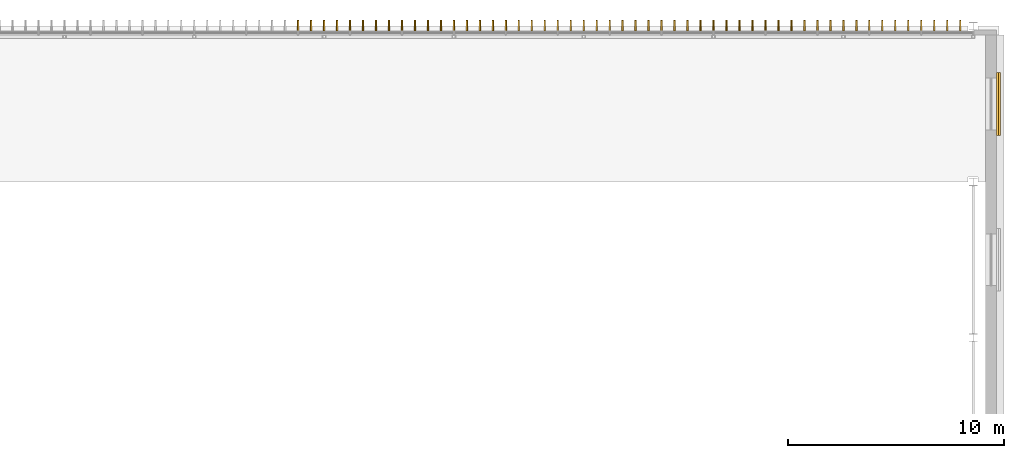
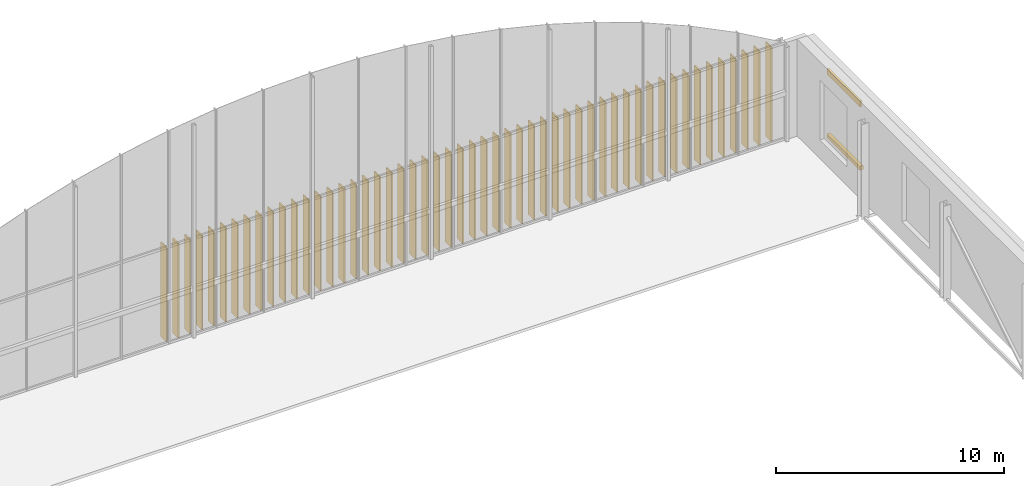
# One storey, part 92 of 93: 52 shading devices, 2 coverings.
"""IFC4 building model written with IfcOpenShell, lengths in metres."""

from ifc_helpers import new_model, si_unit, direction, frame, origin, origin_2d, place, context, subcontext, project, spatial, polyline, rectangle, outline, extrude, material, layer, layer_set, type_object, element, save


model = new_model("IFC4")

# Units and contexts
model_context = context("Model", 3, precision=1e-05, world=origin(), true_north=direction((0.0, 1.0)))
body_context = subcontext(model_context, "Body", "Model", "MODEL_VIEW")
ifc_project = project(units=[si_unit("LENGTHUNIT", "METRE"), si_unit("AREAUNIT", "SQUARE_METRE"), si_unit("VOLUMEUNIT", "CUBIC_METRE"), si_unit("PLANEANGLEUNIT", "RADIAN"), si_unit("MASSUNIT", "GRAM", prefix="KILO")], contexts=[model_context])

# Site, building, storey
site_placement = place(None, origin())
site = spatial("IfcSite", under=ifc_project, at=site_placement, CompositionType="ELEMENT")
building_placement = place(site_placement, origin())
building = spatial("IfcBuilding", under=site, at=building_placement, Name="Verrick Yard Athletic Hall", CompositionType="ELEMENT")
storey_placement = place(building_placement, frame((0.0, 0.0, 8.800048828125)))
storey = spatial("IfcBuildingStorey", under=building, at=storey_placement, Name="L02", CompositionType="ELEMENT", Elevation=8.800048828125)

# Shading devices
ifc_material_1 = material(Name="Anodised aluminium", Category="aluminium")
ifc_layer_1 = layer(ifc_material_1, 0.0625)
ifc_layer_set_1 = layer_set([ifc_layer_1], Name="Hall facade fin")
shading_device_type = type_object("IfcShadingDeviceType", Name="Hall facade fin", PredefinedType="USERDEFINED", material=ifc_layer_set_1)
for number, where, z_axis, x_axis, name in (
    (1, (138.39990234375, 107.78173828125, 0.0), (0.0, 0.0, 1.0), (0.0, 1.0, 0.0), "ENVB-HAN-FIN27"),
    (2, (139.0, 107.78173828125, 0.0), (0.0, 0.0, 1.0), (0.0, 1.0, 0.0), "ENVB-HAN-FIN28"),
    (3, (139.60009765625, 107.78173828125, 0.0), (0.0, 0.0, 1.0), (0.0, 1.0, 0.0), "ENVB-HAN-FIN29"),
    (4, (140.199951171875, 107.78173828125, 0.0), (0.0, 0.0, 1.0), (0.0, 1.0, 0.0), "ENVB-HAN-FIN30"),
    (5, (140.800048828125, 107.78173828125, 0.0), (0.0, 0.0, 1.0), (0.0, 1.0, 0.0), "ENVB-HAN-FIN31"),
    (6, (141.39990234375, 107.78173828125, 0.0), (0.0, 0.0, 1.0), (0.0, 1.0, 0.0), "ENVB-HAN-FIN32"),
    (7, (142.0, 107.78173828125, 0.0), (0.0, 0.0, 1.0), (0.0, 1.0, 0.0), "ENVB-HAN-FIN33"),
    (8, (142.60009765625, 107.78173828125, 0.0), (0.0, 0.0, 1.0), (0.0, 1.0, 0.0), "ENVB-HAN-FIN34"),
    (9, (143.199951171875, 107.78173828125, 0.0), (0.0, 0.0, 1.0), (0.0, 1.0, 0.0), "ENVB-HAN-FIN35"),
    (10, (143.800048828125, 107.78173828125, 0.0), (0.0, 0.0, 1.0), (0.0, 1.0, 0.0), "ENVB-HAN-FIN36"),
    (11, (144.39990234375, 107.78173828125, 0.0), (0.0, 0.0, 1.0), (0.0, 1.0, 0.0), "ENVB-HAN-FIN37"),
    (12, (145.0, 107.78173828125, 0.0), (0.0, 0.0, 1.0), (0.0, 1.0, 0.0), "ENVB-HAN-FIN38"),
    (13, (145.60009765625, 107.78173828125, 0.0), (0.0, 0.0, 1.0), (0.0, 1.0, 0.0), "ENVB-HAN-FIN39"),
    (14, (146.199951171875, 107.78173828125, 0.0), (0.0, 0.0, 1.0), (0.0, 1.0, 0.0), "ENVB-HAN-FIN40"),
    (15, (146.800048828125, 107.78173828125, 0.0), (0.0, 0.0, 1.0), (0.0, 1.0, 0.0), "ENVB-HAN-FIN41"),
    (16, (147.39990234375, 107.78173828125, 0.0), (0.0, 0.0, 1.0), (0.0, 1.0, 0.0), "ENVB-HAN-FIN42"),
    (17, (148.0, 107.78173828125, 0.0), (0.0, 0.0, 1.0), (0.0, 1.0, 0.0), "ENVB-HAN-FIN43"),
    (18, (148.60009765625, 107.78173828125, 0.0), (0.0, 0.0, 1.0), (0.0, 1.0, 0.0), "ENVB-HAN-FIN44"),
    (19, (149.199951171875, 107.78173828125, 0.0), (0.0, 0.0, 1.0), (0.0, 1.0, 0.0), "ENVB-HAN-FIN45"),
    (20, (149.800048828125, 107.78173828125, 0.0), (0.0, 0.0, 1.0), (0.0, 1.0, 0.0), "ENVB-HAN-FIN46"),
    (21, (150.39990234375, 107.78173828125, 0.0), (0.0, 0.0, 1.0), (0.0, 1.0, 0.0), "ENVB-HAN-FIN47"),
    (22, (151.0, 107.78173828125, 0.0), (0.0, 0.0, 1.0), (0.0, 1.0, 0.0), "ENVB-HAN-FIN48"),
    (23, (151.60009765625, 107.78173828125, 0.0), (0.0, 0.0, 1.0), (0.0, 1.0, 0.0), "ENVB-HAN-FIN49"),
    (24, (152.199951171875, 107.78173828125, 0.0), (0.0, 0.0, 1.0), (0.0, 1.0, 0.0), "ENVB-HAN-FIN50"),
    (25, (152.800048828125, 107.78173828125, 0.0), (0.0, 0.0, 1.0), (0.0, 1.0, 0.0), "ENVB-HAN-FIN51"),
    (26, (153.39990234375, 107.78173828125, 0.0), (0.0, 0.0, 1.0), (0.0, 1.0, 0.0), "ENVB-HAN-FIN52"),
    (27, (154.0, 107.78173828125, 0.0), (0.0, 0.0, 1.0), (0.0, 1.0, 0.0), "ENVB-HAN-FIN53"),
    (28, (154.60009765625, 107.78173828125, 0.0), (0.0, 0.0, 1.0), (0.0, 1.0, 0.0), "ENVB-HAN-FIN54"),
    (29, (155.199951171875, 107.78173828125, 0.0), (0.0, 0.0, 1.0), (0.0, 1.0, 0.0), "ENVB-HAN-FIN55"),
    (30, (155.800048828125, 107.78173828125, 0.0), (0.0, 0.0, 1.0), (0.0, 1.0, 0.0), "ENVB-HAN-FIN56"),
    (31, (156.39990234375, 107.78173828125, 0.0), (0.0, 0.0, 1.0), (0.0, 1.0, 0.0), "ENVB-HAN-FIN57"),
    (32, (157.0, 107.78173828125, 0.0), (0.0, 0.0, 1.0), (0.0, 1.0, 0.0), "ENVB-HAN-FIN58"),
    (33, (157.60009765625, 107.78173828125, 0.0), (0.0, 0.0, 1.0), (0.0, 1.0, 0.0), "ENVB-HAN-FIN59"),
    (34, (158.199951171875, 107.78173828125, 0.0), (0.0, 0.0, 1.0), (0.0, 1.0, 0.0), "ENVB-HAN-FIN60"),
    (35, (158.800048828125, 107.78173828125, 0.0), (0.0, 0.0, 1.0), (0.0, 1.0, 0.0), "ENVB-HAN-FIN61"),
    (36, (159.39990234375, 107.78173828125, 0.0), (0.0, 0.0, 1.0), (0.0, 1.0, 0.0), "ENVB-HAN-FIN62"),
    (37, (160.0, 107.78173828125, 0.0), (0.0, 0.0, 1.0), (0.0, 1.0, 0.0), "ENVB-HAN-FIN63"),
    (38, (160.60009765625, 107.78173828125, 0.0), (0.0, 0.0, 1.0), (0.0, 1.0, 0.0), "ENVB-HAN-FIN64"),
    (39, (161.199951171875, 107.78173828125, 0.0), (0.0, 0.0, 1.0), (0.0, 1.0, 0.0), "ENVB-HAN-FIN65"),
    (40, (161.800048828125, 107.78173828125, 0.0), (0.0, 0.0, 1.0), (0.0, 1.0, 0.0), "ENVB-HAN-FIN66"),
    (41, (162.39990234375, 107.78173828125, 0.0), (0.0, 0.0, 1.0), (0.0, 1.0, 0.0), "ENVB-HAN-FIN67"),
    (42, (163.0, 107.78173828125, 0.0), (0.0, 0.0, 1.0), (0.0, 1.0, 0.0), "ENVB-HAN-FIN68"),
    (43, (163.60009765625, 107.78173828125, 0.0), (0.0, 0.0, 1.0), (0.0, 1.0, 0.0), "ENVB-HAN-FIN69"),
    (44, (164.199951171875, 107.78173828125, 0.0), (0.0, 0.0, 1.0), (0.0, 1.0, 0.0), "ENVB-HAN-FIN70"),
    (45, (164.800048828125, 107.78173828125, 0.0), (0.0, 0.0, 1.0), (0.0, 1.0, 0.0), "ENVB-HAN-FIN71"),
    (46, (165.39990234375, 107.78173828125, 0.0), (0.0, 0.0, 1.0), (0.0, 1.0, 0.0), "ENVB-HAN-FIN72"),
    (47, (166.0, 107.78173828125, 0.0), (0.0, 0.0, 1.0), (0.0, 1.0, 0.0), "ENVB-HAN-FIN73"),
    (48, (166.60009765625, 107.78173828125, 0.0), (0.0, 0.0, 1.0), (0.0, 1.0, 0.0), "ENVB-HAN-FIN74"),
    (49, (167.199951171875, 107.78173828125, 0.0), (0.0, 0.0, 1.0), (0.0, 1.0, 0.0), "ENVB-HAN-FIN75"),
    (50, (167.800048828125, 107.78173828125, 0.0), (0.0, 0.0, 1.0), (0.0, 1.0, 0.0), "ENVB-HAN-FIN76"),
    (51, (168.39990234375, 107.78173828125, 0.0), (0.0, 0.0, 1.0), (0.0, 1.0, 0.0), "ENVB-HAN-FIN77"),
    (52, (169.0, 107.78173828125, 0.0), (0.0, 0.0, 1.0), (0.0, 1.0, 0.0), "ENVB-HAN-FIN78"),
):
    element("IfcShadingDevice", number, at=place(storey_placement, frame(where, z_axis=z_axis, x_axis=x_axis)), inside=storey, type_object=shading_device_type, Name=name, ObjectType="FIN", PredefinedType="USERDEFINED", context=body_context, shape_type="SweptSolid", body=[
        extrude(outline(polyline([(0.0, 0.0), (0.5, 0.0), (0.5, 5.050048828125), (0.0, 5.050048828125), (0.0, 0.0)])), frame((0.0, 0.03125, 0.0), z_axis=(0.0, -1.0, 0.0), x_axis=(1.0, 0.0, 0.0)), (0.0, 0.0, 1.0), 0.0625),
    ])

# Coverings
ifc_material_2 = material(Name="Tyndall-stone-look precast cladding", Category="masonry")
ifc_layer_2 = layer(ifc_material_2, 0.25)
ifc_layer_set_2 = layer_set([ifc_layer_2], Name="Stone moulding")
covering_type = type_object("IfcCoveringType", Name="Stone moulding", PredefinedType="MOLDING", material=ifc_layer_set_2)
covering_1_placement = place(storey_placement, frame((170.764892578125, 104.40087890625, 0.7998046875), z_axis=(0.0, 0.0, 1.0), x_axis=(0.0, 1.0, 0.0)))
element("IfcCovering", 53, at=covering_1_placement, inside=storey, type_object=covering_type, Name="Window sill", PredefinedType="MOLDING", context=body_context, shape_type="SweptSolid", body=[
    extrude(rectangle(XDim=2.89990234375, YDim=0.179931640625, at=origin_2d()), origin(), (0.0, 0.0, 1.0), 0.199951171875),
])
covering_2_placement = place(storey_placement, frame((170.72509765625, 104.40087890625, 4.19970703125), z_axis=(0.0, 0.0, 1.0), x_axis=(0.0, 1.0, 0.0)))
element("IfcCovering", 54, at=covering_2_placement, inside=storey, type_object=covering_type, Name="Window head", PredefinedType="MOLDING", context=body_context, shape_type="SweptSolid", body=[
    extrude(rectangle(XDim=2.89990234375, YDim=0.10009765625, at=origin_2d()), origin(), (0.0, 0.0, 1.0), 0.300048828125),
])

save(model, "model.ifc")
